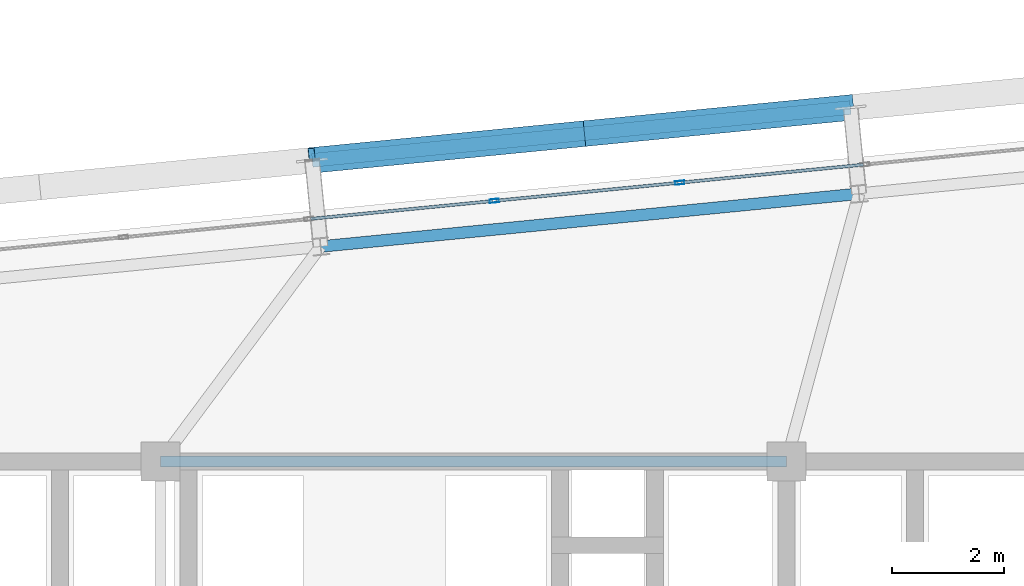
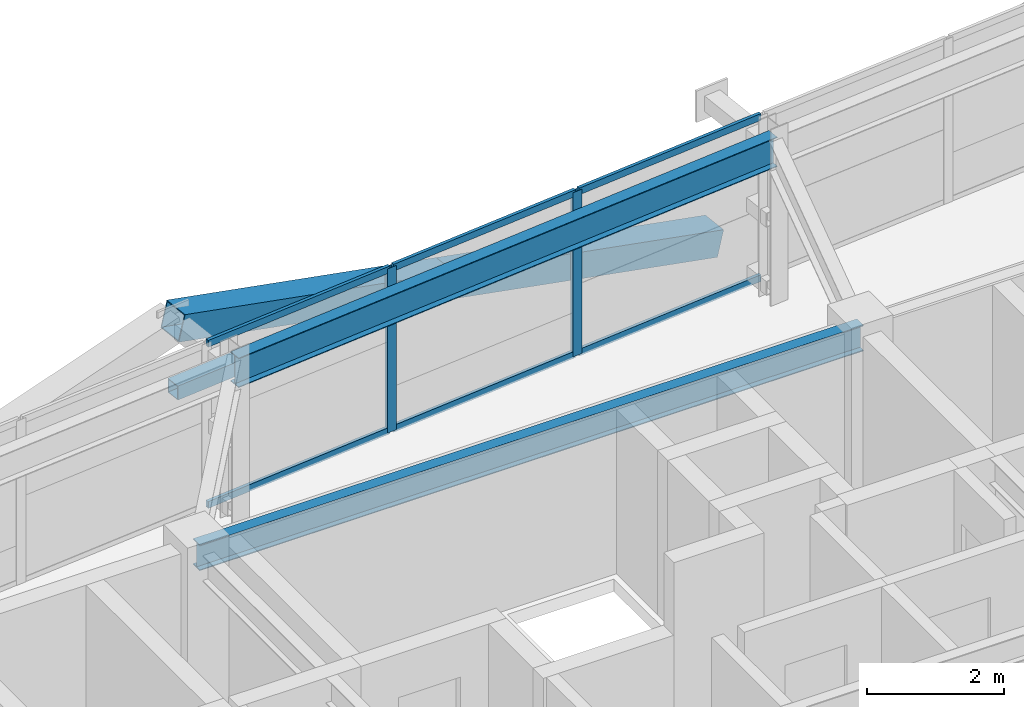
# One storey, part 30 of 53: 11 members, 2 beams, 1 element without a shape of its own.
"""IFC4 building model written with IfcOpenShell, lengths in metres."""

from ifc_helpers import new_model, si_unit, direction, frame, origin, origin_2d, place, context, subcontext, project, spatial, hollow_rectangle, i_section, extrude, source, transform, mapped, material, layer, layer_set, material_profile, profile_set, type_object, element, aggregate, save


model = new_model("IFC4")

# Units and contexts
model_context = context("Model", 3, precision=1e-05, world=origin(), true_north=direction((0.0, 1.0)))
body_context = subcontext(model_context, "Body", "Model", "MODEL_VIEW")
ifc_project = project(units=[si_unit("LENGTHUNIT", "METRE"), si_unit("AREAUNIT", "SQUARE_METRE"), si_unit("VOLUMEUNIT", "CUBIC_METRE"), si_unit("PLANEANGLEUNIT", "RADIAN"), si_unit("MASSUNIT", "GRAM", prefix="KILO")], contexts=[model_context])

# Site, building, storey
site_placement = place(None, origin())
site = spatial("IfcSite", under=ifc_project, at=site_placement, CompositionType="ELEMENT")
building_placement = place(site_placement, origin())
building = spatial("IfcBuilding", under=site, at=building_placement, Name="Taldren Reach Tower", CompositionType="ELEMENT")
storey_placement = place(building_placement, frame((0.0, 0.0, 84.0)))
storey = spatial("IfcBuildingStorey", under=building, at=storey_placement, Name="L25", CompositionType="ELEMENT", Elevation=84.0)

# Beams
ifc_material_1 = material(Name="Steel Gr 350 (350PLUS)", Category="steel")
ifc_material_profile_1 = material_profile(ifc_material_1, i_section(OverallWidth=0.19091796875, OverallDepth=0.4599609375, WebThickness=0.010009765625, FlangeThickness=0.01611328125, at=origin_2d()), Name="460UB82.1")
ifc_profile_set_1 = profile_set([ifc_material_profile_1], Name="Steel Gr 350 (350PLUS)")
beam_type_1 = type_object("IfcBeamType", Name="BM-UB460A", PredefinedType="BEAM", material=ifc_profile_set_1)
shared_shape_1 = source(origin(), body_context, "Body", "SweptSolid", [
    extrude(i_section(OverallWidth=0.19091796875, OverallDepth=0.4599609375, WebThickness=0.010009765625, FlangeThickness=0.01611328125, at=origin_2d()), origin(), (0.0, 0.0, 1.0), 11.199951171875),
])
beam_1_placement = place(storey_placement, frame((28.0, 32.0, 2.699951171875), z_axis=(1.0, 0.0, 0.0), x_axis=(0.0, 1.0, 0.0)))
element("IfcBeam", 1, at=beam_1_placement, inside=storey, type_object=beam_type_1, Name="Core-spine girder L25-SP05", PredefinedType="BEAM", context=body_context, shape_type="MappedRepresentation", body=[
    mapped(shared_shape_1, transform((0.0, 0.0, 0.0), scale=1.0)),
])
ifc_material_profile_2 = material_profile(ifc_material_1, i_section(OverallWidth=0.208984375, OverallDepth=0.528076171875, WebThickness=0.009521484375, FlangeThickness=0.01318359375, at=origin_2d()), Name="530UB82.0")
ifc_profile_set_2 = profile_set([ifc_material_profile_2], Name="Steel Gr 350 (350PLUS)")
beam_type_2 = type_object("IfcBeamType", Name="SP-UB530B", PredefinedType="SPANDREL", material=ifc_profile_set_2)
shared_shape_2 = source(origin(), body_context, "Body", "SweptSolid", [
    extrude(i_section(OverallWidth=0.208984375, OverallDepth=0.528076171875, WebThickness=0.009521484375, FlangeThickness=0.01318359375, at=origin_2d()), origin(), (0.0, 0.0, 1.0), 9.679931640625),
])
beam_2_placement = place(storey_placement, frame((40.498291015625, 36.790771484375, 2.666015625), z_axis=(-0.995227612658, -0.097580730699, 0.0), x_axis=(0.097580730699, -0.995227612658, 0.0)))
element("IfcBeam", 2, at=beam_2_placement, inside=storey, type_object=beam_type_2, Name="Perimeter spandrel B2 N4-N3 L25", PredefinedType="SPANDREL", context=body_context, shape_type="MappedRepresentation", body=[
    mapped(shared_shape_2, transform((0.0, 0.0, 0.0), scale=1.0)),
])

# Members
ifc_material_2 = material(Name="Steel Gr 450 (C450L0)", Category="steel")
ifc_material_profile_3 = material_profile(ifc_material_2, hollow_rectangle(XDim=0.4599609375, YDim=0.4599609375, WallThickness=0.01611328125, at=origin_2d()), Name="460x460x16.0SHS")
ifc_profile_set_3 = profile_set([ifc_material_profile_3], Name="Steel Gr 450 (C450L0)")
member_type_1 = type_object("IfcMemberType", Name="MB-EXO457", PredefinedType="BRACE", material=ifc_profile_set_3)
shared_shape_3 = source(origin(), body_context, "Body", "SweptSolid", [
    extrude(hollow_rectangle(XDim=0.4599609375, YDim=0.4599609375, WallThickness=0.01611328125, at=origin_2d()), origin(), (0.0, 0.0, 1.0), 4.990234375),
])
for number, where, z_axis, x_axis, name in (
    (3, (40.346923828125, 38.333251953125, 0.219970703125), (-0.965275526283, -0.094619506732, 0.243496010862), (0.097555749586, -0.995230061706, 0.0), "Exoskeleton Diagrid Brace B2-N3 L25"),
    (4, (35.530029296875, 37.861083984375, 1.43505859375), (-0.965282554799, -0.094669120301, 0.243448859234), (0.097605711627, -0.995225162995, 0.0), "Exoskeleton Diagrid Brace B2-N3 L25"),
):
    element("IfcMember", number, at=place(storey_placement, frame(where, z_axis=z_axis, x_axis=x_axis)), inside=storey, type_object=member_type_1, Name=name, PredefinedType="BRACE", context=body_context, shape_type="MappedRepresentation", body=[
        mapped(shared_shape_3, transform((0.0, 0.0, 0.0), scale=1.0)),
    ])
ifc_material_3 = material(Name="Steel Gr 350 (C350L0)", Category="steel")
ifc_material_profile_4 = material_profile(ifc_material_3, hollow_rectangle(XDim=0.25, YDim=0.25, WallThickness=0.010009765625, at=origin_2d()), Name="250x250x10.0SHS")
ifc_profile_set_4 = profile_set([ifc_material_profile_4], Name="Steel Gr 350 (C350L0)")
member_type_2 = type_object("IfcMemberType", Name="MB-POST250", PredefinedType="POST", material=ifc_profile_set_4)
shared_shape_4 = source(origin(), body_context, "Body", "SweptSolid", [
    extrude(hollow_rectangle(XDim=0.25, YDim=0.25, WallThickness=0.010009765625, at=origin_2d()), origin(), (0.0, 0.0, 1.0), 9.679931640625),
])
member_1_placement = place(storey_placement, frame((30.713134765625, 37.388671875, 1.43505859375), z_axis=(0.995227612658, 0.097580730699, 0.0), x_axis=(-0.097580730699, 0.995227612658, 0.0)))
element("IfcMember", 5, at=member_1_placement, inside=storey, type_object=member_type_2, Name="Exoskeleton mid-height ring chord B2-N3 L25", PredefinedType="POST", context=body_context, shape_type="MappedRepresentation", body=[
    mapped(shared_shape_4, transform((0.0, 0.0, 0.0), scale=1.0)),
])

# Curtain wall, members
ifc_material_4 = material(Name="Aluminium and Low-E Glass Unitised System", Category="aluminium")
ifc_layer = layer(ifc_material_4, 0.159912109375)
ifc_layer_set = layer_set([ifc_layer], Name="Aluminium and Low-E Glass Unitised System")
curtain_wall_type = type_object("IfcCurtainWallType", Name="CW-SYS-3", PredefinedType="NOTDEFINED", material=ifc_layer_set)
curtain_wall_placement = place(storey_placement, origin())
curtain_wall = element("IfcCurtainWall", 6, at=curtain_wall_placement, inside=storey, type_object=curtain_wall_type, Name="Unitised curtain wall CW-L25-N", PredefinedType="NOTDEFINED")
ifc_material_5 = material(Name="Anodised Aluminium 6063-T6", Category="aluminium")
ifc_material_profile_5 = material_profile(ifc_material_5, hollow_rectangle(XDim=0.06494140625, YDim=0.1650390625, WallThickness=0.00390625, at=origin_2d()), Name="ALU-165x65x4RHS")
ifc_profile_set_5 = profile_set([ifc_material_profile_5], Name="Anodised Aluminium 6063-T6")
member_type_3 = type_object("IfcMemberType", Name="CW-MUL-165", PredefinedType="MULLION", material=ifc_profile_set_5)
shared_shape_5 = source(origin(), body_context, "Body", "SweptSolid", [
    extrude(hollow_rectangle(XDim=0.06494140625, YDim=0.1650390625, WallThickness=0.00390625, at=origin_2d()), origin(), (0.0, 0.0, 1.0), 2.929931640625),
])
member_2_placement = place(storey_placement, frame((37.290283203125, 36.988525390625, 0.0), z_axis=(0.0, 0.0, 1.0), x_axis=(0.097582999046, -0.995227390247, 0.0)))
member_2 = element("IfcMember", 7, at=member_2_placement, type_object=member_type_3, Name="CW-3 mullion 8", PredefinedType="MULLION", context=body_context, shape_type="MappedRepresentation", body=[
    mapped(shared_shape_5, transform((0.0, 0.0, 0.0), scale=1.0)),
])
member_3_placement = place(storey_placement, frame((33.972900390625, 36.663330078125, 0.0), z_axis=(0.0, 0.0, 1.0), x_axis=(0.097582999046, -0.995227390247, 0.0)))
member_3 = element("IfcMember", 8, at=member_3_placement, type_object=member_type_3, Name="CW-3 mullion 9", PredefinedType="MULLION", context=body_context, shape_type="MappedRepresentation", body=[
    mapped(shared_shape_5, transform((0.0, 0.0, 0.0), scale=1.0)),
])
ifc_material_profile_6 = material_profile(ifc_material_5, hollow_rectangle(XDim=0.054931640625, YDim=0.1201171875, WallThickness=0.0029296875, at=origin_2d()), Name="ALU-120x55x3RHS")
ifc_profile_set_6 = profile_set([ifc_material_profile_6], Name="Anodised Aluminium 6063-T6")
member_type_4 = type_object("IfcMemberType", Name="CW-TRN-135", PredefinedType="USERDEFINED", material=ifc_profile_set_6)
shared_shape_6 = source(origin(), body_context, "Body", "SweptSolid", [
    extrude(hollow_rectangle(XDim=0.054931640625, YDim=0.1201171875, WallThickness=0.0029296875, at=origin_2d()), origin(), (0.0, 0.0, 1.0), 3.268310546875),
])
member_4_placement = place(storey_placement, frame((37.2578125, 36.9853515625, 0.027587890625), z_axis=(-0.99522980512, -0.097558367146, 0.0), x_axis=(0.097558367146, -0.99522980512, 0.0)))
member_4 = element("IfcMember", 9, at=member_4_placement, type_object=member_type_4, Name="CW-3 transom 8.1", ObjectType="TRANSOM", PredefinedType="USERDEFINED", context=body_context, shape_type="MappedRepresentation", body=[
    mapped(shared_shape_6, transform((0.0, 0.0, 0.0), scale=1.0)),
])
member_5_placement = place(storey_placement, frame((37.2578125, 36.9853515625, 2.902587890625), z_axis=(-0.99522980512, -0.097558367146, 0.0), x_axis=(0.097558367146, -0.99522980512, 0.0)))
member_5 = element("IfcMember", 10, at=member_5_placement, type_object=member_type_4, Name="CW-3 transom 8.2", ObjectType="TRANSOM", PredefinedType="USERDEFINED", context=body_context, shape_type="MappedRepresentation", body=[
    mapped(shared_shape_6, transform((0.0, 0.0, 0.0), scale=1.0)),
])
member_6_placement = place(storey_placement, frame((33.9404296875, 36.66015625, 0.027587890625), z_axis=(-0.99522980512, -0.097558367146, 0.0), x_axis=(0.097558367146, -0.99522980512, 0.0)))
member_6 = element("IfcMember", 11, at=member_6_placement, type_object=member_type_4, Name="CW-3 transom 9.1", ObjectType="TRANSOM", PredefinedType="USERDEFINED", context=body_context, shape_type="MappedRepresentation", body=[
    mapped(shared_shape_6, transform((0.0, 0.0, 0.0), scale=1.0)),
])
member_7_placement = place(storey_placement, frame((33.9404296875, 36.66015625, 2.902587890625), z_axis=(-0.99522980512, -0.097558367146, 0.0), x_axis=(0.097558367146, -0.99522980512, 0.0)))
member_7 = element("IfcMember", 12, at=member_7_placement, type_object=member_type_4, Name="CW-3 transom 9.2", ObjectType="TRANSOM", PredefinedType="USERDEFINED", context=body_context, shape_type="MappedRepresentation", body=[
    mapped(shared_shape_6, transform((0.0, 0.0, 0.0), scale=1.0)),
])
shared_shape_7 = source(origin(), body_context, "Body", "SweptSolid", [
    extrude(hollow_rectangle(XDim=0.054931640625, YDim=0.1201171875, WallThickness=0.0029296875, at=origin_2d()), origin(), (0.0, 0.0, 1.0), 3.2685546875),
])
member_8_placement = place(storey_placement, frame((40.575439453125, 37.310791015625, 0.027587890625), z_axis=(-0.995223261527, -0.09762509778, 0.0), x_axis=(0.09762509778, -0.995223261527, 0.0)))
member_8 = element("IfcMember", 13, at=member_8_placement, type_object=member_type_4, Name="CW-3 transom 7.1", ObjectType="TRANSOM", PredefinedType="USERDEFINED", context=body_context, shape_type="MappedRepresentation", body=[
    mapped(shared_shape_7, transform((0.0, 0.0, 0.0), scale=1.0)),
])
member_9_placement = place(storey_placement, frame((40.575439453125, 37.310791015625, 2.902587890625), z_axis=(-0.995223261527, -0.09762509778, 0.0), x_axis=(0.09762509778, -0.995223261527, 0.0)))
member_9 = element("IfcMember", 14, at=member_9_placement, type_object=member_type_4, Name="CW-3 transom 7.2", ObjectType="TRANSOM", PredefinedType="USERDEFINED", context=body_context, shape_type="MappedRepresentation", body=[
    mapped(shared_shape_7, transform((0.0, 0.0, 0.0), scale=1.0)),
])
aggregate(curtain_wall, [member_2, member_3, member_8, member_9, member_4, member_5, member_6, member_7])

save(model, "model.ifc")
